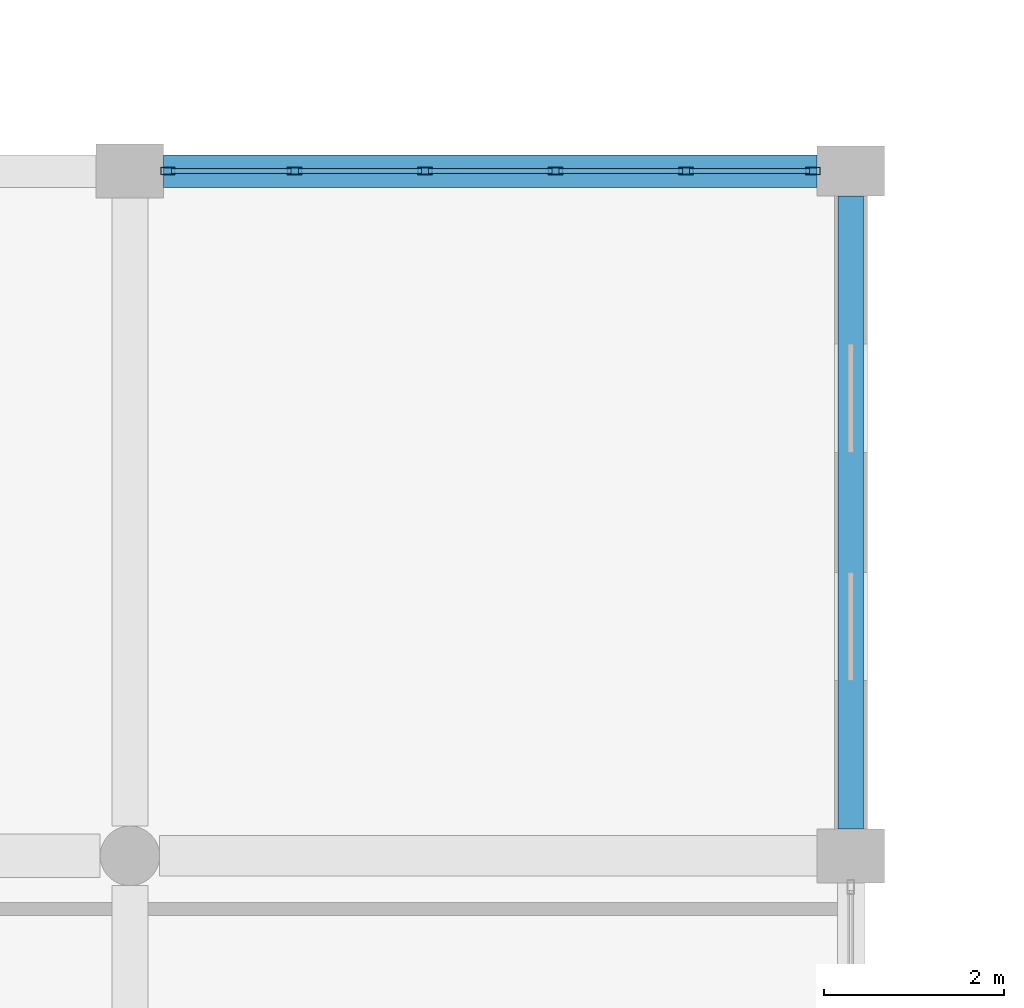
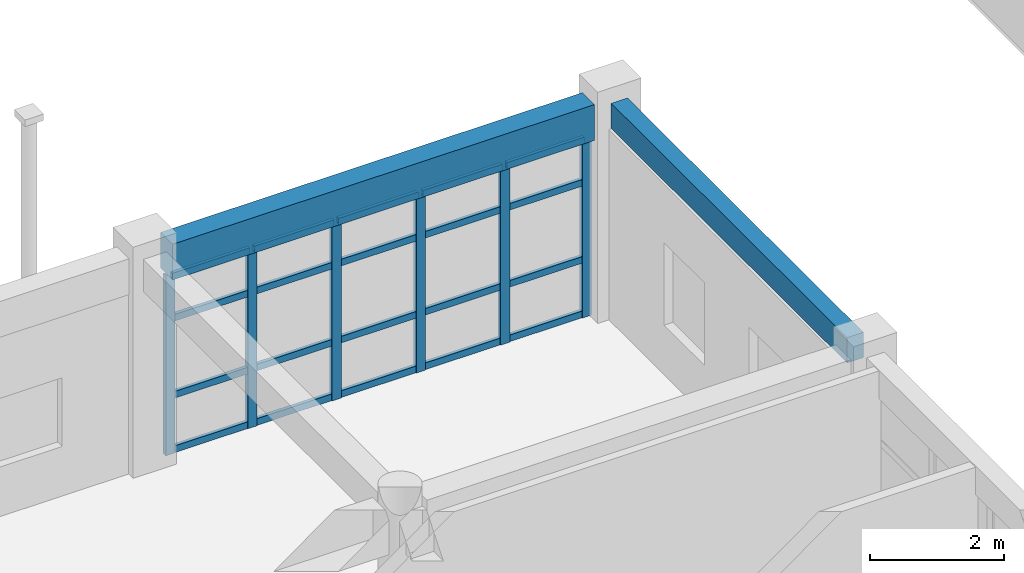
# One storey, part 80 of 195: 26 members, 2 beams, 1 element without a shape of its own.
"""IFC4 building model written with IfcOpenShell, lengths in metres."""

from ifc_helpers import new_model, si_unit, direction, frame, origin, origin_2d, place, context, subcontext, project, spatial, rectangle, hollow_rectangle, extrude, material, material_profile, profile_set, type_object, element, aggregate, save


model = new_model("IFC4")

# Units and contexts
model_context = context("Model", 3, precision=1e-05, world=origin(), true_north=direction((0.0, 1.0)))
body_context = subcontext(model_context, "Body", "Model", "MODEL_VIEW")
ifc_project = project(units=[si_unit("LENGTHUNIT", "METRE"), si_unit("AREAUNIT", "SQUARE_METRE"), si_unit("VOLUMEUNIT", "CUBIC_METRE"), si_unit("PLANEANGLEUNIT", "RADIAN"), si_unit("MASSUNIT", "GRAM", prefix="KILO")], contexts=[model_context])

# Site, building, storey
site_placement = place(None, origin())
site = spatial("IfcSite", under=ifc_project, at=site_placement, CompositionType="ELEMENT")
building_placement = place(site_placement, origin())
building = spatial("IfcBuilding", under=site, at=building_placement, Name="Kharva Crest Polytechnic", CompositionType="ELEMENT")
storey_placement = place(building_placement, frame((0.0, 0.0, 9.0)))
storey = spatial("IfcBuildingStorey", under=building, at=storey_placement, Name="L02", CompositionType="ELEMENT", Elevation=9.0)

# Curtain wall, members
ifc_material_1 = material(Name="Tempered insulated glass", Category="glass")
curtain_wall_type = type_object("IfcCurtainWallType", Name="CW-SYS-COURT", PredefinedType="USERDEFINED", material=ifc_material_1)
curtain_wall_placement = place(storey_placement, origin())
curtain_wall = element("IfcCurtainWall", 1, at=curtain_wall_placement, inside=storey, type_object=curtain_wall_type, Name="L02 Glazed Curtain Wall CW-081", ObjectType="CURTAIN WALL", PredefinedType="USERDEFINED")
ifc_material_2 = material(Name="Steel S355", Category="steel")
ifc_material_profile_1 = material_profile(ifc_material_2, hollow_rectangle(XDim=0.080078125, YDim=0.159912109375, WallThickness=0.0048828125, at=origin_2d()), Name="RHS 160X80X5.0")
ifc_profile_set_1 = profile_set([ifc_material_profile_1], Name="Steel S355")
member_type_1 = type_object("IfcMemberType", Name="CWM-RHS160X80", PredefinedType="MULLION", material=ifc_profile_set_1)
member_1_placement = place(storey_placement, frame((111.580078125, 22.800048828125, 0.0), z_axis=(0.0, 0.0, 1.0), x_axis=(0.0, -1.0, 0.0)))
member_1 = element("IfcMember", 2, at=member_1_placement, type_object=member_type_1, Name="CW-081 mullion 1", PredefinedType="MULLION", context=body_context, shape_type="SweptSolid", body=[
    extrude(hollow_rectangle(XDim=0.080078125, YDim=0.159912109375, WallThickness=0.0048828125, at=origin_2d()), origin(), (0.0, 0.0, 1.0), 3.27001953125),
])
member_2_placement = place(storey_placement, frame((110.172119140625, 22.800048828125, 0.0), z_axis=(0.0, 0.0, 1.0), x_axis=(0.0, -1.0, 0.0)))
member_2 = element("IfcMember", 3, at=member_2_placement, type_object=member_type_1, Name="CW-081 mullion 2", PredefinedType="MULLION", context=body_context, shape_type="SweptSolid", body=[
    extrude(hollow_rectangle(XDim=0.080078125, YDim=0.159912109375, WallThickness=0.0048828125, at=origin_2d()), origin(), (0.0, 0.0, 1.0), 3.27001953125),
])
member_3_placement = place(storey_placement, frame((108.72412109375, 22.800048828125, 0.0), z_axis=(0.0, 0.0, 1.0), x_axis=(0.0, -1.0, 0.0)))
member_3 = element("IfcMember", 4, at=member_3_placement, type_object=member_type_1, Name="CW-081 mullion 3", PredefinedType="MULLION", context=body_context, shape_type="SweptSolid", body=[
    extrude(hollow_rectangle(XDim=0.080078125, YDim=0.159912109375, WallThickness=0.0048828125, at=origin_2d()), origin(), (0.0, 0.0, 1.0), 3.27001953125),
])
member_4_placement = place(storey_placement, frame((107.27587890625, 22.800048828125, 0.0), z_axis=(0.0, 0.0, 1.0), x_axis=(0.0, -1.0, 0.0)))
member_4 = element("IfcMember", 5, at=member_4_placement, type_object=member_type_1, Name="CW-081 mullion 4", PredefinedType="MULLION", context=body_context, shape_type="SweptSolid", body=[
    extrude(hollow_rectangle(XDim=0.080078125, YDim=0.159912109375, WallThickness=0.0048828125, at=origin_2d()), origin(), (0.0, 0.0, 1.0), 3.27001953125),
])
member_5_placement = place(storey_placement, frame((105.827880859375, 22.800048828125, 0.0), z_axis=(0.0, 0.0, 1.0), x_axis=(0.0, -1.0, 0.0)))
member_5 = element("IfcMember", 6, at=member_5_placement, type_object=member_type_1, Name="CW-081 mullion 5", PredefinedType="MULLION", context=body_context, shape_type="SweptSolid", body=[
    extrude(hollow_rectangle(XDim=0.080078125, YDim=0.159912109375, WallThickness=0.0048828125, at=origin_2d()), origin(), (0.0, 0.0, 1.0), 3.27001953125),
])
member_6_placement = place(storey_placement, frame((104.419921875, 22.800048828125, 0.0), z_axis=(0.0, 0.0, 1.0), x_axis=(0.0, -1.0, 0.0)))
member_6 = element("IfcMember", 7, at=member_6_placement, type_object=member_type_1, Name="CW-081 mullion 6", PredefinedType="MULLION", context=body_context, shape_type="SweptSolid", body=[
    extrude(hollow_rectangle(XDim=0.080078125, YDim=0.159912109375, WallThickness=0.0048828125, at=origin_2d()), origin(), (0.0, 0.0, 1.0), 3.27001953125),
])
ifc_material_profile_2 = material_profile(ifc_material_2, hollow_rectangle(XDim=0.06005859375, YDim=0.1201171875, WallThickness=0.00390625, at=origin_2d()), Name="RHS 120X60X4.0")
ifc_profile_set_2 = profile_set([ifc_material_profile_2], Name="Steel S355")
member_type_2 = type_object("IfcMemberType", Name="CWT-RHS120X60", PredefinedType="USERDEFINED", material=ifc_profile_set_2)
member_7_placement = place(storey_placement, frame((111.5400390625, 22.800048828125, 0.06005859375), z_axis=(-1.0, 0.0, 0.0), x_axis=(0.0, -1.0, 0.0)))
member_7 = element("IfcMember", 8, at=member_7_placement, type_object=member_type_2, Name="CW-081 transom 1.1", ObjectType="TRANSOM", PredefinedType="USERDEFINED", context=body_context, shape_type="SweptSolid", body=[
    extrude(hollow_rectangle(XDim=0.06005859375, YDim=0.1201171875, WallThickness=0.00390625, at=origin_2d()), origin(), (0.0, 0.0, 1.0), 1.328125),
])
member_8_placement = place(storey_placement, frame((111.5400390625, 22.800048828125, 1.050048828125), z_axis=(-1.0, 0.0, 0.0), x_axis=(0.0, -1.0, 0.0)))
member_8 = element("IfcMember", 9, at=member_8_placement, type_object=member_type_2, Name="CW-081 transom 1.2", ObjectType="TRANSOM", PredefinedType="USERDEFINED", context=body_context, shape_type="SweptSolid", body=[
    extrude(hollow_rectangle(XDim=0.06005859375, YDim=0.1201171875, WallThickness=0.00390625, at=origin_2d()), origin(), (0.0, 0.0, 1.0), 1.328125),
])
member_9_placement = place(storey_placement, frame((111.5400390625, 22.800048828125, 2.449951171875), z_axis=(-1.0, 0.0, 0.0), x_axis=(0.0, -1.0, 0.0)))
member_9 = element("IfcMember", 10, at=member_9_placement, type_object=member_type_2, Name="CW-081 transom 1.3", ObjectType="TRANSOM", PredefinedType="USERDEFINED", context=body_context, shape_type="SweptSolid", body=[
    extrude(hollow_rectangle(XDim=0.06005859375, YDim=0.1201171875, WallThickness=0.00390625, at=origin_2d()), origin(), (0.0, 0.0, 1.0), 1.328125),
])
member_10_placement = place(storey_placement, frame((111.5400390625, 22.800048828125, 3.2099609375), z_axis=(-1.0, 0.0, 0.0), x_axis=(0.0, -1.0, 0.0)))
member_10 = element("IfcMember", 11, at=member_10_placement, type_object=member_type_2, Name="CW-081 transom 1.4", ObjectType="TRANSOM", PredefinedType="USERDEFINED", context=body_context, shape_type="SweptSolid", body=[
    extrude(hollow_rectangle(XDim=0.06005859375, YDim=0.1201171875, WallThickness=0.00390625, at=origin_2d()), origin(), (0.0, 0.0, 1.0), 1.328125),
])
member_11_placement = place(storey_placement, frame((110.132080078125, 22.800048828125, 0.06005859375), z_axis=(-1.0, 0.0, 0.0), x_axis=(0.0, -1.0, 0.0)))
member_11 = element("IfcMember", 12, at=member_11_placement, type_object=member_type_2, Name="CW-081 transom 2.1", ObjectType="TRANSOM", PredefinedType="USERDEFINED", context=body_context, shape_type="SweptSolid", body=[
    extrude(hollow_rectangle(XDim=0.06005859375, YDim=0.1201171875, WallThickness=0.00390625, at=origin_2d()), origin(), (0.0, 0.0, 1.0), 1.3681640625),
])
member_12_placement = place(storey_placement, frame((110.132080078125, 22.800048828125, 1.050048828125), z_axis=(-1.0, 0.0, 0.0), x_axis=(0.0, -1.0, 0.0)))
member_12 = element("IfcMember", 13, at=member_12_placement, type_object=member_type_2, Name="CW-081 transom 2.2", ObjectType="TRANSOM", PredefinedType="USERDEFINED", context=body_context, shape_type="SweptSolid", body=[
    extrude(hollow_rectangle(XDim=0.06005859375, YDim=0.1201171875, WallThickness=0.00390625, at=origin_2d()), origin(), (0.0, 0.0, 1.0), 1.3681640625),
])
member_13_placement = place(storey_placement, frame((110.132080078125, 22.800048828125, 2.449951171875), z_axis=(-1.0, 0.0, 0.0), x_axis=(0.0, -1.0, 0.0)))
member_13 = element("IfcMember", 14, at=member_13_placement, type_object=member_type_2, Name="CW-081 transom 2.3", ObjectType="TRANSOM", PredefinedType="USERDEFINED", context=body_context, shape_type="SweptSolid", body=[
    extrude(hollow_rectangle(XDim=0.06005859375, YDim=0.1201171875, WallThickness=0.00390625, at=origin_2d()), origin(), (0.0, 0.0, 1.0), 1.3681640625),
])
member_14_placement = place(storey_placement, frame((110.132080078125, 22.800048828125, 3.2099609375), z_axis=(-1.0, 0.0, 0.0), x_axis=(0.0, -1.0, 0.0)))
member_14 = element("IfcMember", 15, at=member_14_placement, type_object=member_type_2, Name="CW-081 transom 2.4", ObjectType="TRANSOM", PredefinedType="USERDEFINED", context=body_context, shape_type="SweptSolid", body=[
    extrude(hollow_rectangle(XDim=0.06005859375, YDim=0.1201171875, WallThickness=0.00390625, at=origin_2d()), origin(), (0.0, 0.0, 1.0), 1.3681640625),
])
member_15_placement = place(storey_placement, frame((108.68408203125, 22.800048828125, 0.06005859375), z_axis=(-1.0, 0.0, 0.0), x_axis=(0.0, -1.0, 0.0)))
member_15 = element("IfcMember", 16, at=member_15_placement, type_object=member_type_2, Name="CW-081 transom 3.1", ObjectType="TRANSOM", PredefinedType="USERDEFINED", context=body_context, shape_type="SweptSolid", body=[
    extrude(hollow_rectangle(XDim=0.06005859375, YDim=0.1201171875, WallThickness=0.00390625, at=origin_2d()), origin(), (0.0, 0.0, 1.0), 1.3681640625),
])
member_16_placement = place(storey_placement, frame((108.68408203125, 22.800048828125, 1.050048828125), z_axis=(-1.0, 0.0, 0.0), x_axis=(0.0, -1.0, 0.0)))
member_16 = element("IfcMember", 17, at=member_16_placement, type_object=member_type_2, Name="CW-081 transom 3.2", ObjectType="TRANSOM", PredefinedType="USERDEFINED", context=body_context, shape_type="SweptSolid", body=[
    extrude(hollow_rectangle(XDim=0.06005859375, YDim=0.1201171875, WallThickness=0.00390625, at=origin_2d()), origin(), (0.0, 0.0, 1.0), 1.3681640625),
])
member_17_placement = place(storey_placement, frame((108.68408203125, 22.800048828125, 2.449951171875), z_axis=(-1.0, 0.0, 0.0), x_axis=(0.0, -1.0, 0.0)))
member_17 = element("IfcMember", 18, at=member_17_placement, type_object=member_type_2, Name="CW-081 transom 3.3", ObjectType="TRANSOM", PredefinedType="USERDEFINED", context=body_context, shape_type="SweptSolid", body=[
    extrude(hollow_rectangle(XDim=0.06005859375, YDim=0.1201171875, WallThickness=0.00390625, at=origin_2d()), origin(), (0.0, 0.0, 1.0), 1.3681640625),
])
member_18_placement = place(storey_placement, frame((108.68408203125, 22.800048828125, 3.2099609375), z_axis=(-1.0, 0.0, 0.0), x_axis=(0.0, -1.0, 0.0)))
member_18 = element("IfcMember", 19, at=member_18_placement, type_object=member_type_2, Name="CW-081 transom 3.4", ObjectType="TRANSOM", PredefinedType="USERDEFINED", context=body_context, shape_type="SweptSolid", body=[
    extrude(hollow_rectangle(XDim=0.06005859375, YDim=0.1201171875, WallThickness=0.00390625, at=origin_2d()), origin(), (0.0, 0.0, 1.0), 1.3681640625),
])
member_19_placement = place(storey_placement, frame((107.236083984375, 22.800048828125, 0.06005859375), z_axis=(-1.0, 0.0, 0.0), x_axis=(0.0, -1.0, 0.0)))
member_19 = element("IfcMember", 20, at=member_19_placement, type_object=member_type_2, Name="CW-081 transom 4.1", ObjectType="TRANSOM", PredefinedType="USERDEFINED", context=body_context, shape_type="SweptSolid", body=[
    extrude(hollow_rectangle(XDim=0.06005859375, YDim=0.1201171875, WallThickness=0.00390625, at=origin_2d()), origin(), (0.0, 0.0, 1.0), 1.3681640625),
])
member_20_placement = place(storey_placement, frame((107.236083984375, 22.800048828125, 1.050048828125), z_axis=(-1.0, 0.0, 0.0), x_axis=(0.0, -1.0, 0.0)))
member_20 = element("IfcMember", 21, at=member_20_placement, type_object=member_type_2, Name="CW-081 transom 4.2", ObjectType="TRANSOM", PredefinedType="USERDEFINED", context=body_context, shape_type="SweptSolid", body=[
    extrude(hollow_rectangle(XDim=0.06005859375, YDim=0.1201171875, WallThickness=0.00390625, at=origin_2d()), origin(), (0.0, 0.0, 1.0), 1.3681640625),
])
member_21_placement = place(storey_placement, frame((107.236083984375, 22.800048828125, 2.449951171875), z_axis=(-1.0, 0.0, 0.0), x_axis=(0.0, -1.0, 0.0)))
member_21 = element("IfcMember", 22, at=member_21_placement, type_object=member_type_2, Name="CW-081 transom 4.3", ObjectType="TRANSOM", PredefinedType="USERDEFINED", context=body_context, shape_type="SweptSolid", body=[
    extrude(hollow_rectangle(XDim=0.06005859375, YDim=0.1201171875, WallThickness=0.00390625, at=origin_2d()), origin(), (0.0, 0.0, 1.0), 1.3681640625),
])
member_22_placement = place(storey_placement, frame((107.236083984375, 22.800048828125, 3.2099609375), z_axis=(-1.0, 0.0, 0.0), x_axis=(0.0, -1.0, 0.0)))
member_22 = element("IfcMember", 23, at=member_22_placement, type_object=member_type_2, Name="CW-081 transom 4.4", ObjectType="TRANSOM", PredefinedType="USERDEFINED", context=body_context, shape_type="SweptSolid", body=[
    extrude(hollow_rectangle(XDim=0.06005859375, YDim=0.1201171875, WallThickness=0.00390625, at=origin_2d()), origin(), (0.0, 0.0, 1.0), 1.3681640625),
])
member_23_placement = place(storey_placement, frame((105.7880859375, 22.800048828125, 0.06005859375), z_axis=(-1.0, 0.0, 0.0), x_axis=(0.0, -1.0, 0.0)))
member_23 = element("IfcMember", 24, at=member_23_placement, type_object=member_type_2, Name="CW-081 transom 5.1", ObjectType="TRANSOM", PredefinedType="USERDEFINED", context=body_context, shape_type="SweptSolid", body=[
    extrude(hollow_rectangle(XDim=0.06005859375, YDim=0.1201171875, WallThickness=0.00390625, at=origin_2d()), origin(), (0.0, 0.0, 1.0), 1.328125),
])
member_24_placement = place(storey_placement, frame((105.7880859375, 22.800048828125, 1.050048828125), z_axis=(-1.0, 0.0, 0.0), x_axis=(0.0, -1.0, 0.0)))
member_24 = element("IfcMember", 25, at=member_24_placement, type_object=member_type_2, Name="CW-081 transom 5.2", ObjectType="TRANSOM", PredefinedType="USERDEFINED", context=body_context, shape_type="SweptSolid", body=[
    extrude(hollow_rectangle(XDim=0.06005859375, YDim=0.1201171875, WallThickness=0.00390625, at=origin_2d()), origin(), (0.0, 0.0, 1.0), 1.328125),
])
member_25_placement = place(storey_placement, frame((105.7880859375, 22.800048828125, 2.449951171875), z_axis=(-1.0, 0.0, 0.0), x_axis=(0.0, -1.0, 0.0)))
member_25 = element("IfcMember", 26, at=member_25_placement, type_object=member_type_2, Name="CW-081 transom 5.3", ObjectType="TRANSOM", PredefinedType="USERDEFINED", context=body_context, shape_type="SweptSolid", body=[
    extrude(hollow_rectangle(XDim=0.06005859375, YDim=0.1201171875, WallThickness=0.00390625, at=origin_2d()), origin(), (0.0, 0.0, 1.0), 1.328125),
])
member_26_placement = place(storey_placement, frame((105.7880859375, 22.800048828125, 3.2099609375), z_axis=(-1.0, 0.0, 0.0), x_axis=(0.0, -1.0, 0.0)))
member_26 = element("IfcMember", 27, at=member_26_placement, type_object=member_type_2, Name="CW-081 transom 5.4", ObjectType="TRANSOM", PredefinedType="USERDEFINED", context=body_context, shape_type="SweptSolid", body=[
    extrude(hollow_rectangle(XDim=0.06005859375, YDim=0.1201171875, WallThickness=0.00390625, at=origin_2d()), origin(), (0.0, 0.0, 1.0), 1.328125),
])
aggregate(curtain_wall, [member_1, member_2, member_3, member_4, member_5, member_6, member_7, member_8, member_9, member_10, member_11, member_12, member_13, member_14, member_15, member_16, member_17, member_18, member_19, member_20, member_21, member_22, member_23, member_24, member_25, member_26])

# Beams
ifc_material_3 = material(Name="Concrete C35/45", Category="concrete")
ifc_material_profile_3 = material_profile(ifc_material_3, rectangle(XDim=0.280029296875, YDim=0.4599609375, at=origin_2d()), Name="RECT 280 X 460")
ifc_profile_set_3 = profile_set([ifc_material_profile_3], Name="Concrete C35/45")
beam_type_1 = type_object("IfcBeamType", Name="SP-RC-280X460", PredefinedType="SPANDREL", material=ifc_profile_set_3)
beam_1_placement = place(storey_placement, frame((112.0, 15.5, 3.68994140625), z_axis=(0.0, 1.0, 0.0), x_axis=(-1.0, 0.0, 0.0)))
element("IfcBeam", 28, at=beam_1_placement, inside=storey, type_object=beam_type_1, Name="L02 Girder 15/C-D", PredefinedType="SPANDREL", context=body_context, shape_type="SweptSolid", body=[
    extrude(rectangle(XDim=0.280029296875, YDim=0.4599609375, at=origin_2d()), origin(), (0.0, 0.0, 1.0), 7.02490234375),
])
ifc_material_profile_4 = material_profile(ifc_material_3, rectangle(XDim=0.360107421875, YDim=0.64990234375, at=origin_2d()), Name="RECT 360 X 650")
ifc_profile_set_4 = profile_set([ifc_material_profile_4], Name="Concrete C35/45")
beam_type_2 = type_object("IfcBeamType", Name="SP-RC-360X650", PredefinedType="SPANDREL", material=ifc_profile_set_4)
beam_2_placement = place(storey_placement, frame((104.375, 22.800048828125, 3.594970703125), z_axis=(1.0, 0.0, 0.0), x_axis=(0.0, 1.0, 0.0)))
element("IfcBeam", 29, at=beam_2_placement, inside=storey, type_object=beam_type_2, Name="L02 Beam D/14-15", PredefinedType="SPANDREL", context=body_context, shape_type="SweptSolid", body=[
    extrude(rectangle(XDim=0.360107421875, YDim=0.64990234375, at=origin_2d()), origin(), (0.0, 0.0, 1.0), 7.25),
])

save(model, "model.ifc")
